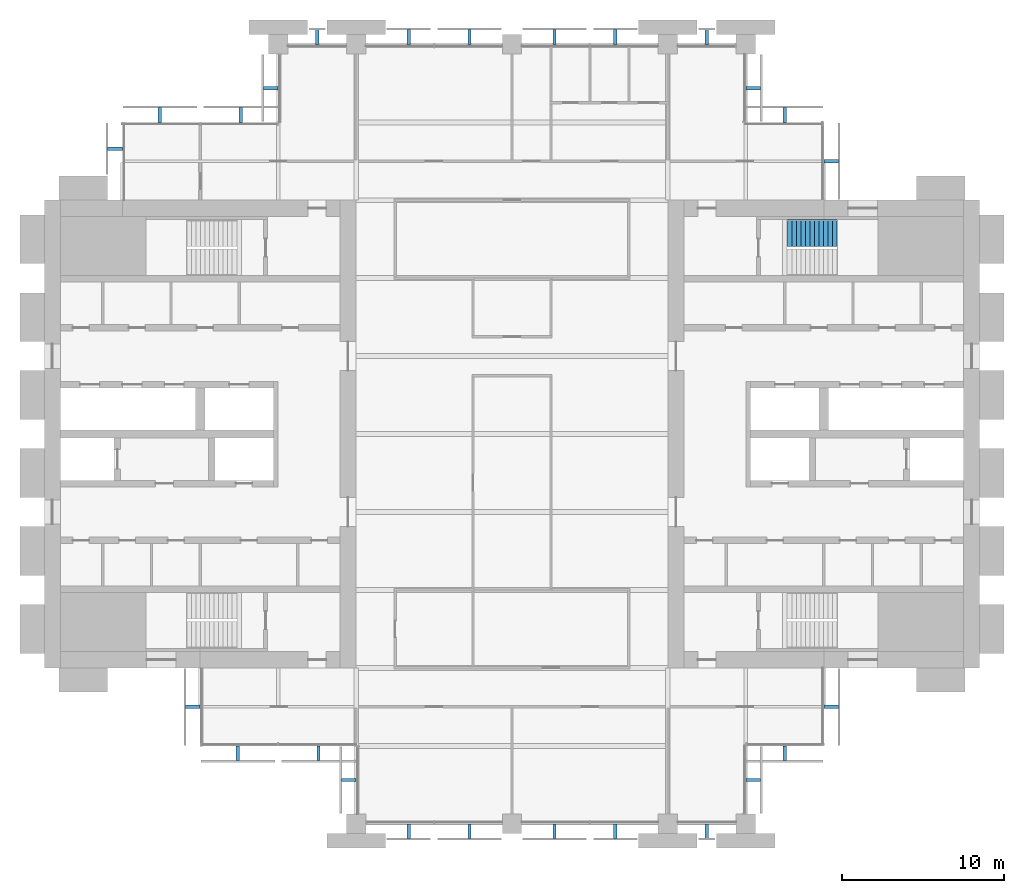
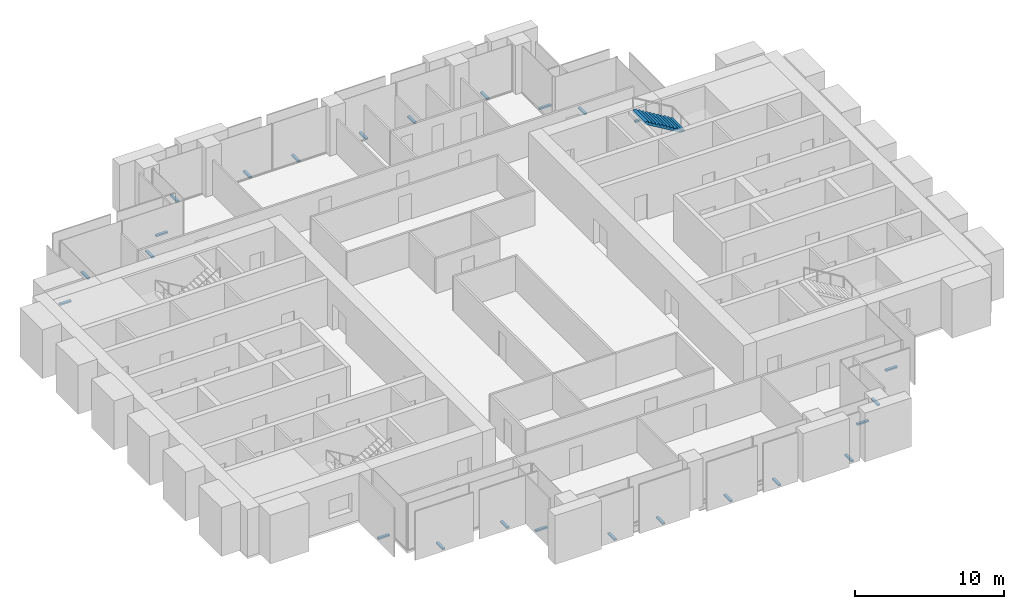
# One storey, part 13 of 14: 25 discrete accessories, 1 stair flight, 1 element without a shape of its own.
"""IFC4 building model written with IfcOpenShell, lengths in metres."""

from ifc_helpers import new_model, si_unit, direction, frame, origin, origin_2d, place, context, subcontext, project, spatial, polyline, rectangle, outline, extrude, material, type_object, element, aggregate, save


model = new_model("IFC4")

# Units and contexts
model_context = context("Model", 3, precision=1e-05, world=origin(), true_north=direction((0.0, 1.0)))
body_context = subcontext(model_context, "Body", "Model", "MODEL_VIEW")
ifc_project = project(units=[si_unit("LENGTHUNIT", "METRE"), si_unit("AREAUNIT", "SQUARE_METRE"), si_unit("VOLUMEUNIT", "CUBIC_METRE"), si_unit("PLANEANGLEUNIT", "RADIAN"), si_unit("MASSUNIT", "GRAM", prefix="KILO")], contexts=[model_context])

# Site, building, storey
site_placement = place(None, origin())
site = spatial("IfcSite", under=ifc_project, at=site_placement, CompositionType="ELEMENT")
building_placement = place(site_placement, origin())
building = spatial("IfcBuilding", under=site, at=building_placement, Name="Baori Bourse Tower", CompositionType="ELEMENT")
storey_placement = place(building_placement, frame((0.0, 0.0, 160.10009765625)))
storey = spatial("IfcBuildingStorey", under=building, at=storey_placement, Name="L35", CompositionType="ELEMENT", Elevation=160.10009765625)

# Stair, stair flight
ifc_material_1 = material(Name="Concrete f'c 50 MPa", Category="concrete")
stair_type = type_object("IfcStairType", Name="Core stair", PredefinedType="HALF_TURN_STAIR", material=ifc_material_1)
stair_placement = place(storey_placement, origin())
stair = element("IfcStair", 1, at=stair_placement, inside=storey, type_object=stair_type, Name="L35 Stair EB", PredefinedType="HALF_TURN_STAIR")
ifc_material_2 = material(Name="Concrete f'c 50 MPa", Category="concrete")
stair_flight_type = type_object("IfcStairFlightType", Name="Core stair flight", PredefinedType="STRAIGHT", material=ifc_material_2)
stair_flight_placement = place(storey_placement, frame((48.830078125, 36.375, 2.0), z_axis=(0.0, 0.0, 1.0), x_axis=(-1.0, 0.0, 0.0)))
stair_flight = element("IfcStairFlight", 2, at=stair_flight_placement, type_object=stair_flight_type, Name="ST4 flight 2", NumberOfRisers=12, NumberOfTreads=11, PredefinedType="STRAIGHT", RiserHeight=0.166666667, TreadLength=0.28, context=body_context, shape_type="SweptSolid", body=[
    extrude(outline(polyline([(0.0, 0.0), (0.0, 0.166748046875), (0.280029296875, 0.166748046875), (0.280029296875, 0.333251953125), (0.56005859375, 0.333251953125), (0.56005859375, 0.5), (0.840087890625, 0.5), (0.840087890625, 0.666748046875), (1.1201171875, 0.666748046875), (1.1201171875, 0.833251953125), (1.39990234375, 0.833251953125), (1.39990234375, 1.0), (1.679931640625, 1.0), (1.679931640625, 1.166748046875), (1.9599609375, 1.166748046875), (1.9599609375, 1.333251953125), (2.239990234375, 1.333251953125), (2.239990234375, 1.5), (2.52001953125, 1.5), (2.52001953125, 1.666748046875), (2.800048828125, 1.666748046875), (2.800048828125, 1.833251953125), (3.080078125, 1.833251953125), (3.080078125, 2.0), (3.080078125, 1.658935546875), (0.29296875, 0.0), (0.0, 0.0)])), frame((0.0, 0.824951171875, 0.0), z_axis=(0.0, -1.0, 0.0), x_axis=(1.0, 0.0, 0.0)), (0.0, 0.0, 1.0), 1.64990234375),
])
aggregate(stair, [stair_flight])

# Discrete accessories
ifc_material_3 = material(Name="Pale anodised aluminium", Category="aluminium")
discrete_accessory_type = type_object("IfcDiscreteAccessoryType", Name="OS2 Outer skin bracket", PredefinedType="BRACKET", material=ifc_material_3)
for number, where, z_axis, x_axis, name in (
    (3, (48.449951171875, 40.800048828125, -0.14404296875), (0.0, 0.0, 1.0), (0.0, 1.0, 0.0), "Outer skin bracket L35 1"),
    (4, (45.60009765625, 43.64990234375, -0.14404296875), (0.0, 0.0, 1.0), (-1.0, 0.0, 0.0), "Outer skin bracket L35 2"),
    (5, (43.64990234375, 45.300048828125, -0.14404296875), (0.0, 0.0, 1.0), (0.0, 1.0, 0.0), "Outer skin bracket L35 3"),
    (6, (40.800048828125, 48.449951171875, -0.14404296875), (0.0, 0.0, 1.0), (-1.0, 0.0, 0.0), "Outer skin bracket L35 4"),
    (7, (35.16259765625, 48.449951171875, -0.14404296875), (0.0, 0.0, 1.0), (-1.0, 0.0, 0.0), "Outer skin bracket L35 5"),
    (8, (31.41259765625, 48.449951171875, -0.14404296875), (0.0, 0.0, 1.0), (-1.0, 0.0, 0.0), "Outer skin bracket L35 6"),
    (9, (26.1875, 48.449951171875, -0.14404296875), (0.0, 0.0, 1.0), (-1.0, 0.0, 0.0), "Outer skin bracket L35 7"),
    (10, (22.4375, 48.449951171875, -0.14404296875), (0.0, 0.0, 1.0), (-1.0, 0.0, 0.0), "Outer skin bracket L35 8"),
    (11, (16.800048828125, 48.449951171875, -0.14404296875), (0.0, 0.0, 1.0), (-1.0, 0.0, 0.0), "Outer skin bracket L35 9"),
    (12, (13.949951171875, 45.300048828125, -0.14404296875), (0.0, 0.0, 1.0), (0.0, -1.0, 0.0), "Outer skin bracket L35 10"),
    (13, (12.08740234375, 43.64990234375, -0.14404296875), (0.0, 0.0, 1.0), (-1.0, 0.0, 0.0), "Outer skin bracket L35 11"),
    (14, (7.112548828125, 43.64990234375, -0.14404296875), (0.0, 0.0, 1.0), (-1.0, 0.0, 0.0), "Outer skin bracket L35 12"),
    (15, (4.35009765625, 41.574951171875, -0.14404296875), (0.0, 0.0, 1.0), (0.0, -1.0, 0.0), "Outer skin bracket L35 13"),
    (16, (9.14990234375, 7.199951171875, -0.14404296875), (0.0, 0.0, 1.0), (0.0, -1.0, 0.0), "Outer skin bracket L35 14"),
    (17, (11.91259765625, 4.35009765625, -0.14404296875), (0.0, 0.0, 1.0), (1.0, 0.0, 0.0), "Outer skin bracket L35 15"),
    (18, (16.887451171875, 4.35009765625, -0.14404296875), (0.0, 0.0, 1.0), (1.0, 0.0, 0.0), "Outer skin bracket L35 16"),
    (19, (18.75, 2.699951171875, -0.14404296875), (0.0, 0.0, 1.0), (0.0, -1.0, 0.0), "Outer skin bracket L35 17"),
    (20, (22.4375, -0.449951171875, -0.14404296875), (0.0, 0.0, 1.0), (1.0, 0.0, 0.0), "Outer skin bracket L35 18"),
    (21, (26.1875, -0.449951171875, -0.14404296875), (0.0, 0.0, 1.0), (1.0, 0.0, 0.0), "Outer skin bracket L35 19"),
    (22, (31.41259765625, -0.449951171875, -0.14404296875), (0.0, 0.0, 1.0), (1.0, 0.0, 0.0), "Outer skin bracket L35 20"),
    (23, (35.16259765625, -0.449951171875, -0.14404296875), (0.0, 0.0, 1.0), (1.0, 0.0, 0.0), "Outer skin bracket L35 21"),
    (24, (40.800048828125, -0.449951171875, -0.14404296875), (0.0, 0.0, 1.0), (1.0, 0.0, 0.0), "Outer skin bracket L35 22"),
    (25, (43.64990234375, 2.699951171875, -0.14404296875), (0.0, 0.0, 1.0), (0.0, 1.0, 0.0), "Outer skin bracket L35 23"),
    (26, (45.60009765625, 4.35009765625, -0.14404296875), (0.0, 0.0, 1.0), (1.0, 0.0, 0.0), "Outer skin bracket L35 24"),
    (27, (48.449951171875, 7.199951171875, -0.14404296875), (0.0, 0.0, 1.0), (0.0, 1.0, 0.0), "Outer skin bracket L35 25"),
):
    element("IfcDiscreteAccessory", number, at=place(storey_placement, frame(where, z_axis=z_axis, x_axis=x_axis)), inside=storey, type_object=discrete_accessory_type, Name=name, PredefinedType="BRACKET", context=body_context, shape_type="SweptSolid", body=[
        extrude(rectangle(XDim=0.199951171875, YDim=0.89990234375, at=origin_2d()), origin(), (0.0, 0.0, 1.0), 0.1279296875),
    ])

save(model, "model.ifc")
